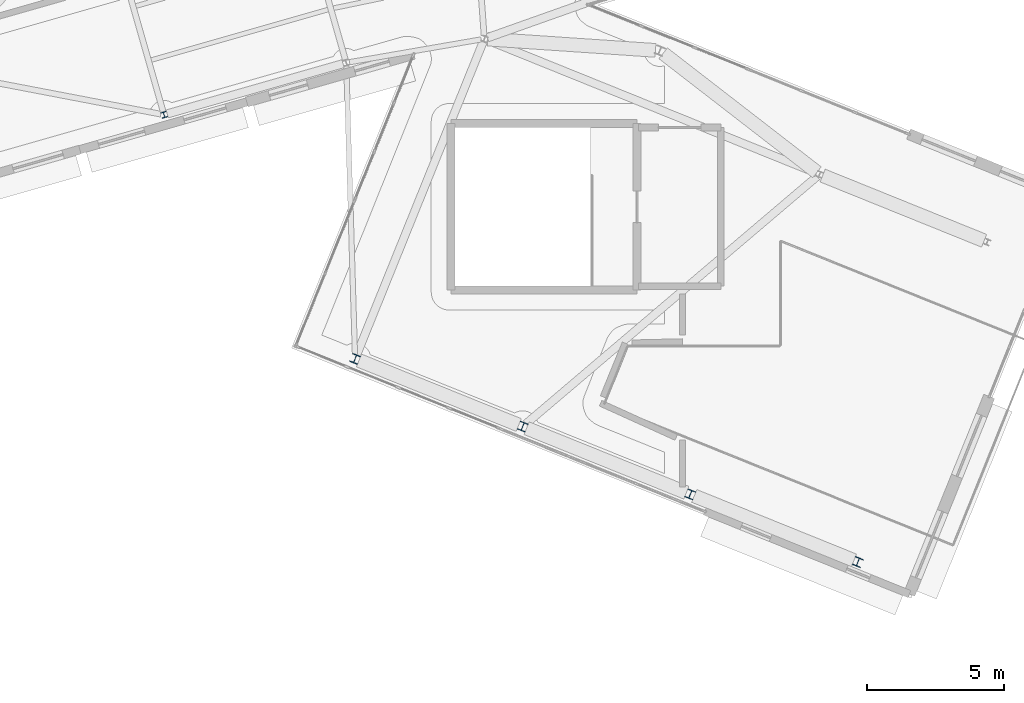
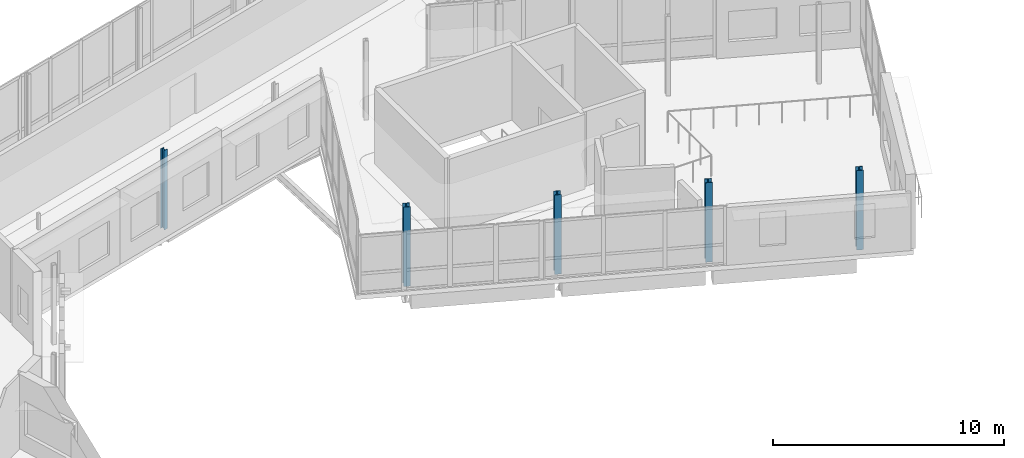
# One storey, part 11 of 125: 5 columns.
"""IFC4 building model written with IfcOpenShell, lengths in metres."""

from ifc_helpers import new_model, si_unit, direction, frame, origin, origin_2d, place, context, subcontext, project, spatial, i_section, extrude, material, material_profile, profile_set, type_object, element, save


model = new_model("IFC4")

# Units and contexts
model_context = context("Model", 3, precision=1e-05, world=origin(), true_north=direction((0.0, 1.0)))
body_context = subcontext(model_context, "Body", "Model", "MODEL_VIEW")
ifc_project = project(units=[si_unit("LENGTHUNIT", "METRE"), si_unit("AREAUNIT", "SQUARE_METRE"), si_unit("VOLUMEUNIT", "CUBIC_METRE"), si_unit("PLANEANGLEUNIT", "RADIAN"), si_unit("MASSUNIT", "GRAM", prefix="KILO")], contexts=[model_context])

# Site, building, storey
site_placement = place(None, origin())
site = spatial("IfcSite", under=ifc_project, at=site_placement, CompositionType="ELEMENT")
building_placement = place(site_placement, origin())
building = spatial("IfcBuilding", under=site, at=building_placement, Name="Wrenclough Park School", CompositionType="ELEMENT")
storey_placement = place(building_placement, frame((0.0, 0.0, 4.199951171875)))
storey = spatial("IfcBuildingStorey", under=building, at=storey_placement, Name="L01", CompositionType="ELEMENT", Elevation=4.199951171875)

# Columns
ifc_material = material(Name="Structural steel S355", Category="steel")
ifc_material_profile_1 = material_profile(ifc_material, i_section(OverallWidth=0.205810546875, OverallDepth=0.209716796875, WebThickness=0.009521484375, FlangeThickness=0.01416015625, FilletRadius=0.01025390625, at=origin_2d()), Name="UKC 203x203x60")
ifc_profile_set_1 = profile_set([ifc_material_profile_1], Name="Structural steel S355")
column_type_1 = type_object("IfcColumnType", Name="STR-COL-UKC203B", PredefinedType="COLUMN", material=ifc_profile_set_1)
column_placement = place(storey_placement, frame((37.576416015625, 91.2578125, 0.0), z_axis=(0.0, 0.0, 1.0), x_axis=(0.961501868857, 0.27479839189, 0.0)))
element("IfcColumn", 1, at=column_placement, inside=storey, type_object=column_type_1, Name="W34 L01 column W34-C1-R03", PredefinedType="COLUMN", context=body_context, shape_type="SweptSolid", body=[
    extrude(i_section(OverallWidth=0.205810546875, OverallDepth=0.209716796875, WebThickness=0.009521484375, FlangeThickness=0.01416015625, FilletRadius=0.01025390625, at=origin_2d()), origin(), (0.0, 0.0, 1.0), 4.199951171875),
])
ifc_material_profile_2 = material_profile(ifc_material, i_section(OverallWidth=0.307373046875, OverallDepth=0.314453125, WebThickness=0.011962890625, FlangeThickness=0.018798828125, FilletRadius=0.01513671875, at=origin_2d()), Name="UKC 305x305x118")
ifc_profile_set_2 = profile_set([ifc_material_profile_2], Name="Structural steel S355")
column_type_2 = type_object("IfcColumnType", Name="STR-COL-UKC305A", PredefinedType="COLUMN", material=ifc_profile_set_2)
for number, where, z_axis, x_axis, name in (
    (2, (44.548828125, 82.347412109375, 0.0), (0.0, 0.0, 1.0), (0.927183854567, -0.374606593416, 0.0), "W34 L01 column EAVE-COURTYARD-F1"),
    (3, (50.668212890625, 79.875, 0.0), (0.0, 0.0, 1.0), (0.927183854567, -0.374606593416, 0.0), "W34 L01 column EAVE-COURTYARD-F2"),
    (4, (56.78759765625, 77.402587890625, 0.0), (0.0, 0.0, 1.0), (0.927183854567, -0.374606593416, 0.0), "W34 L01 column EAVE-COURTYARD-F3"),
    (5, (62.906982421875, 74.93017578125, 0.0), (0.0, 0.0, 1.0), (0.927183854567, -0.374606593416, 0.0), "W34 L01 column EAVE-COURTYARD-F4"),
):
    element("IfcColumn", number, at=place(storey_placement, frame(where, z_axis=z_axis, x_axis=x_axis)), inside=storey, type_object=column_type_2, Name=name, PredefinedType="COLUMN", context=body_context, shape_type="SweptSolid", body=[
        extrude(i_section(OverallWidth=0.307373046875, OverallDepth=0.314453125, WebThickness=0.011962890625, FlangeThickness=0.018798828125, FilletRadius=0.01513671875, at=origin_2d()), origin(), (0.0, 0.0, 1.0), 4.199951171875),
    ])

save(model, "model.ifc")
